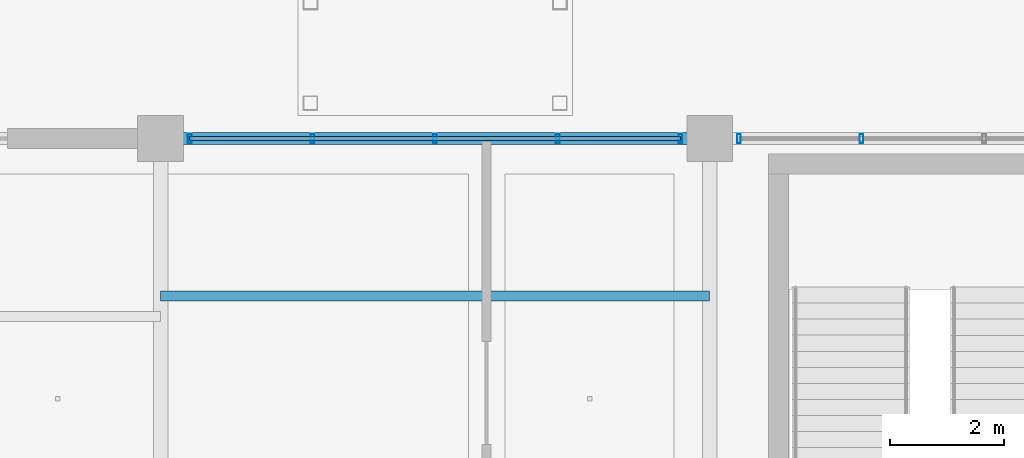
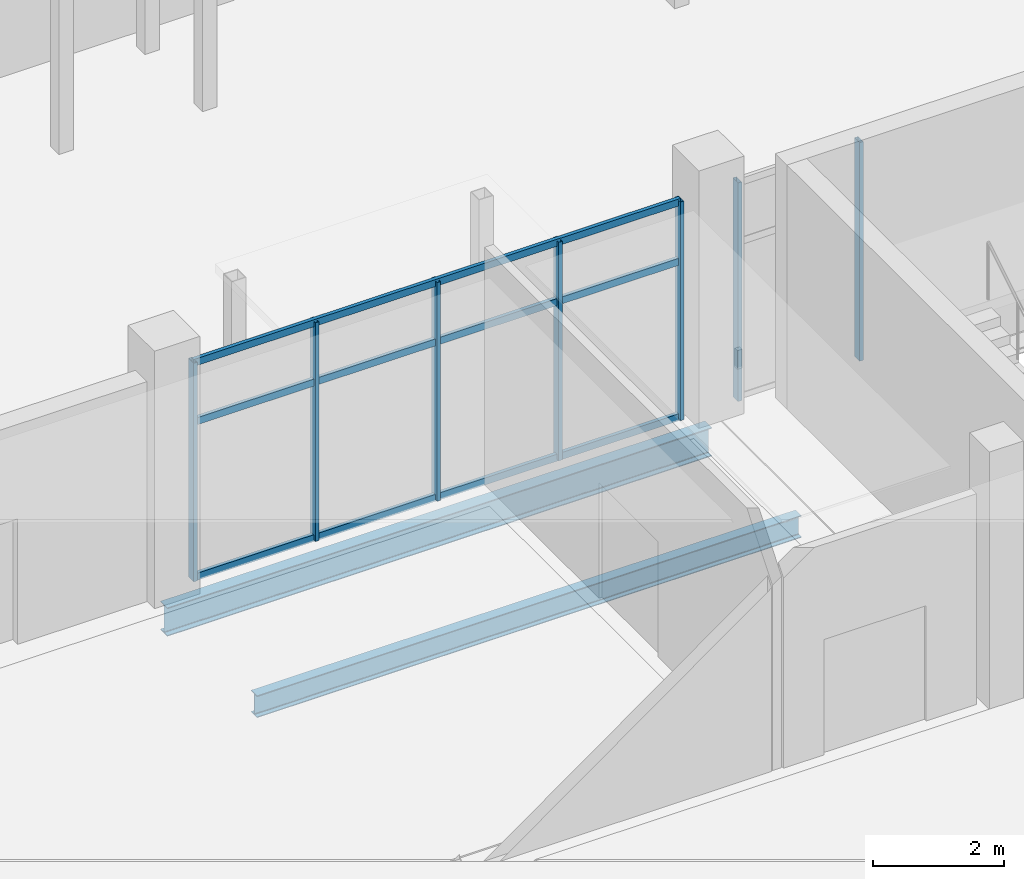
# One storey, part 47 of 116: 10 members, 2 beams, 2 elements without a shape of their own.
"""IFC4 building model written with IfcOpenShell, lengths in metres."""

from ifc_helpers import new_model, si_unit, direction, frame, origin, origin_2d, place, context, subcontext, project, spatial, hollow_rectangle, i_section, extrude, material, layer, layer_set, material_profile, profile_set, type_object, element, aggregate, save


model = new_model("IFC4")

# Units and contexts
model_context = context("Model", 3, precision=1e-05, world=origin(), true_north=direction((0.0, 1.0)))
body_context = subcontext(model_context, "Body", "Model", "MODEL_VIEW")
ifc_project = project(units=[si_unit("LENGTHUNIT", "METRE"), si_unit("AREAUNIT", "SQUARE_METRE"), si_unit("VOLUMEUNIT", "CUBIC_METRE"), si_unit("PLANEANGLEUNIT", "RADIAN"), si_unit("MASSUNIT", "GRAM", prefix="KILO")], contexts=[model_context])

# Site, building, storey
site_placement = place(None, origin())
site = spatial("IfcSite", under=ifc_project, at=site_placement, CompositionType="ELEMENT")
building_placement = place(site_placement, origin())
building = spatial("IfcBuilding", under=site, at=building_placement, Name="Chalmorin Arch Market", CompositionType="ELEMENT")
storey_placement = place(building_placement, origin())
storey = spatial("IfcBuildingStorey", under=building, at=storey_placement, Name="L00", CompositionType="ELEMENT", Elevation=0.0)

# Curtain wall, members
ifc_material_1 = material(Name="Aluminium 6063-T6", Category="aluminium")
ifc_layer = layer(ifc_material_1, 0.159912109375)
ifc_layer_set = layer_set([ifc_layer], Name="Aluminium 6063-T6")
curtain_wall_type = type_object("IfcCurtainWallType", Name="RiverfrontStorefrontCurtainWall-CW2-8580x4080", PredefinedType="NOTDEFINED", material=ifc_layer_set)
curtain_wall_1_placement = place(storey_placement, origin())
curtain_wall_1 = element("IfcCurtainWall", 1, at=curtain_wall_1_placement, inside=storey, type_object=curtain_wall_type, Name="CW-02-005", PredefinedType="NOTDEFINED")
ifc_material_profile_1 = material_profile(ifc_material_1, hollow_rectangle(XDim=0.06494140625, YDim=0.159912109375, WallThickness=0.00390625, at=origin_2d()), Name="ALU65X160X4")
ifc_profile_set_1 = profile_set([ifc_material_profile_1], Name="Aluminium 6063-T6")
member_type_1 = type_object("IfcMemberType", Name="CurtainWallMullion-65x160", PredefinedType="MULLION", material=ifc_profile_set_1)
member_1_placement = place(storey_placement, frame((58.110107421875, 58.800048828125, 0.0), z_axis=(0.0, 0.0, 1.0), x_axis=(1.0, 0.0, 0.0)))
member_1 = element("IfcMember", 2, at=member_1_placement, type_object=member_type_1, Name="ML-005-01", PredefinedType="MULLION", context=body_context, shape_type="SweptSolid", body=[
    extrude(hollow_rectangle(XDim=0.06494140625, YDim=0.159912109375, WallThickness=0.00390625, at=origin_2d()), origin(), (0.0, 0.0, 1.0), 4.075927734375),
])
member_2_placement = place(storey_placement, frame((60.2548828125, 58.800048828125, 0.0), z_axis=(0.0, 0.0, 1.0), x_axis=(1.0, 0.0, 0.0)))
member_2 = element("IfcMember", 3, at=member_2_placement, type_object=member_type_1, Name="ML-005-02", PredefinedType="MULLION", context=body_context, shape_type="SweptSolid", body=[
    extrude(hollow_rectangle(XDim=0.06494140625, YDim=0.159912109375, WallThickness=0.00390625, at=origin_2d()), origin(), (0.0, 0.0, 1.0), 4.075927734375),
])
member_3_placement = place(storey_placement, frame((62.39990234375, 58.800048828125, 0.0), z_axis=(0.0, 0.0, 1.0), x_axis=(1.0, 0.0, 0.0)))
member_3 = element("IfcMember", 4, at=member_3_placement, type_object=member_type_1, Name="ML-005-03", PredefinedType="MULLION", context=body_context, shape_type="SweptSolid", body=[
    extrude(hollow_rectangle(XDim=0.06494140625, YDim=0.159912109375, WallThickness=0.00390625, at=origin_2d()), origin(), (0.0, 0.0, 1.0), 4.075927734375),
])
member_4_placement = place(storey_placement, frame((64.544921875, 58.800048828125, 0.0), z_axis=(0.0, 0.0, 1.0), x_axis=(1.0, 0.0, 0.0)))
member_4 = element("IfcMember", 5, at=member_4_placement, type_object=member_type_1, Name="ML-005-04", PredefinedType="MULLION", context=body_context, shape_type="SweptSolid", body=[
    extrude(hollow_rectangle(XDim=0.06494140625, YDim=0.159912109375, WallThickness=0.00390625, at=origin_2d()), origin(), (0.0, 0.0, 1.0), 4.075927734375),
])
member_5_placement = place(storey_placement, frame((66.68994140625, 58.800048828125, 0.0), z_axis=(0.0, 0.0, 1.0), x_axis=(1.0, 0.0, 0.0)))
member_5 = element("IfcMember", 6, at=member_5_placement, type_object=member_type_1, Name="ML-005-05", PredefinedType="MULLION", context=body_context, shape_type="SweptSolid", body=[
    extrude(hollow_rectangle(XDim=0.06494140625, YDim=0.159912109375, WallThickness=0.00390625, at=origin_2d()), origin(), (0.0, 0.0, 1.0), 4.075927734375),
])

curtain_wall_2_placement = place(storey_placement, origin())
curtain_wall_2 = element("IfcCurtainWall", 7, at=curtain_wall_2_placement, inside=storey, type_object=curtain_wall_type, Name="CW-02-008", PredefinedType="NOTDEFINED")
member_6_placement = place(storey_placement, frame((67.7099609375, 58.800048828125, 0.0), z_axis=(0.0, 0.0, 1.0), x_axis=(1.0, 0.0, 0.0)))
member_6 = element("IfcMember", 8, at=member_6_placement, type_object=member_type_1, Name="ML-008-01", PredefinedType="MULLION", context=body_context, shape_type="SweptSolid", body=[
    extrude(hollow_rectangle(XDim=0.06494140625, YDim=0.159912109375, WallThickness=0.00390625, at=origin_2d()), origin(), (0.0, 0.0, 1.0), 4.075927734375),
])
member_7_placement = place(storey_placement, frame((69.85498046875, 58.800048828125, 0.0), z_axis=(0.0, 0.0, 1.0), x_axis=(1.0, 0.0, 0.0)))
member_7 = element("IfcMember", 9, at=member_7_placement, type_object=member_type_1, Name="ML-008-02", PredefinedType="MULLION", context=body_context, shape_type="SweptSolid", body=[
    extrude(hollow_rectangle(XDim=0.06494140625, YDim=0.159912109375, WallThickness=0.00390625, at=origin_2d()), origin(), (0.0, 0.0, 1.0), 4.075927734375),
])
aggregate(curtain_wall_2, [member_6, member_7])

# Member
ifc_material_profile_2 = material_profile(ifc_material_1, hollow_rectangle(XDim=0.06494140625, YDim=0.1298828125, WallThickness=0.00390625, at=origin_2d()), Name="ALU65X130X4")
ifc_profile_set_2 = profile_set([ifc_material_profile_2], Name="Aluminium 6063-T6")
member_type_2 = type_object("IfcMemberType", Name="CurtainWallTransom-65x130", PredefinedType="USERDEFINED", material=ifc_profile_set_2)
member_8_placement = place(storey_placement, frame((58.110107421875, 58.800048828125, 0.034912109375), z_axis=(1.0, 0.0, 0.0), x_axis=(0.0, 1.0, 0.0)))
member_8 = element("IfcMember", 10, at=member_8_placement, type_object=member_type_2, Name="TR-005-01", ObjectType="TRANSOM", PredefinedType="USERDEFINED", context=body_context, shape_type="SweptSolid", body=[
    extrude(hollow_rectangle(XDim=0.06494140625, YDim=0.1298828125, WallThickness=0.00390625, at=origin_2d()), origin(), (0.0, 0.0, 1.0), 8.579833984375),
])

member_9_placement = place(storey_placement, frame((58.110107421875, 58.800048828125, 2.934814453125), z_axis=(1.0, 0.0, 0.0), x_axis=(0.0, 1.0, 0.0)))
member_9 = element("IfcMember", 11, at=member_9_placement, type_object=member_type_2, Name="TR-005-02", ObjectType="TRANSOM", PredefinedType="USERDEFINED", context=body_context, shape_type="SweptSolid", body=[
    extrude(hollow_rectangle(XDim=0.06494140625, YDim=0.1298828125, WallThickness=0.00390625, at=origin_2d()), origin(), (0.0, 0.0, 1.0), 8.579833984375),
])

member_10_placement = place(storey_placement, frame((58.110107421875, 58.800048828125, 4.041015625), z_axis=(1.0, 0.0, 0.0), x_axis=(0.0, 1.0, 0.0)))
member_10 = element("IfcMember", 12, at=member_10_placement, type_object=member_type_2, Name="TR-005-03", ObjectType="TRANSOM", PredefinedType="USERDEFINED", context=body_context, shape_type="SweptSolid", body=[
    extrude(hollow_rectangle(XDim=0.06494140625, YDim=0.1298828125, WallThickness=0.00390625, at=origin_2d()), origin(), (0.0, 0.0, 1.0), 8.579833984375),
])

aggregate(curtain_wall_1, [member_1, member_2, member_3, member_4, member_5, member_8, member_9, member_10])

# Beams
ifc_material_2 = material(Name="Steel A992 Grade 50", Category="steel")
ifc_material_profile_3 = material_profile(ifc_material_2, i_section(OverallWidth=0.208984375, OverallDepth=0.532958984375, WebThickness=0.01025390625, FlangeThickness=0.015625, FilletRadius=0.02197265625, at=origin_2d()), Name="W21X62")
ifc_profile_set_3 = profile_set([ifc_material_profile_3], Name="Steel A992 Grade 50")
beam_type_1 = type_object("IfcBeamType", Name="PerimeterSpandrelBeam-W21X62", PredefinedType="SPANDREL", material=ifc_profile_set_3)
beam_1_placement = place(storey_placement, frame((57.60009765625, 58.800048828125, -0.568603515625), z_axis=(1.0, 0.0, 0.0), x_axis=(0.0, 1.0, 0.0)))
element("IfcBeam", 13, at=beam_1_placement, inside=storey, type_object=beam_type_1, Name="SP-W21-0031", PredefinedType="SPANDREL", context=body_context, shape_type="SweptSolid", body=[
    extrude(i_section(OverallWidth=0.208984375, OverallDepth=0.532958984375, WebThickness=0.01025390625, FlangeThickness=0.015625, FilletRadius=0.02197265625, at=origin_2d()), origin(), (0.0, 0.0, 1.0), 9.599853515625),
])
ifc_material_profile_4 = material_profile(ifc_material_2, i_section(OverallWidth=0.178955078125, OverallDepth=0.409912109375, WebThickness=0.0087890625, FlangeThickness=0.014404296875, FilletRadius=0.01806640625, at=origin_2d()), Name="W16X45")
ifc_profile_set_4 = profile_set([ifc_material_profile_4], Name="Steel A992 Grade 50")
beam_type_2 = type_object("IfcBeamType", Name="SecondaryFloorJoist-W16X45", PredefinedType="JOIST", material=ifc_profile_set_4)
beam_2_placement = place(storey_placement, frame((57.60009765625, 56.046630859375, -0.487060546875), z_axis=(1.0, 0.0, 0.0), x_axis=(0.0, 1.0, 0.0)))
element("IfcBeam", 14, at=beam_2_placement, inside=storey, type_object=beam_type_2, Name="BJ-W16A-0132", PredefinedType="JOIST", context=body_context, shape_type="SweptSolid", body=[
    extrude(i_section(OverallWidth=0.178955078125, OverallDepth=0.409912109375, WebThickness=0.0087890625, FlangeThickness=0.014404296875, FilletRadius=0.01806640625, at=origin_2d()), origin(), (0.0, 0.0, 1.0), 9.599853515625),
])

save(model, "model.ifc")
